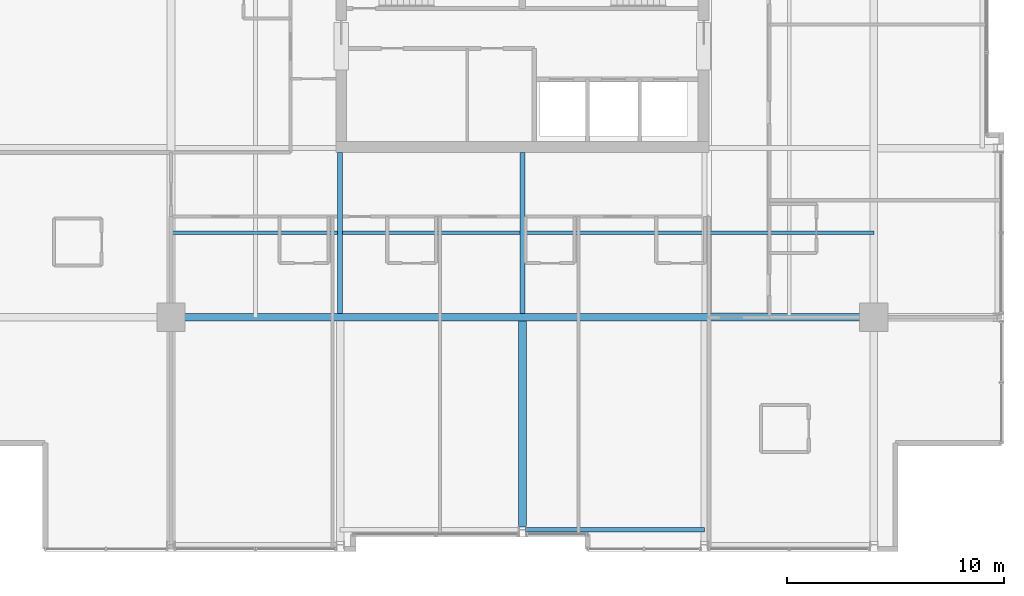
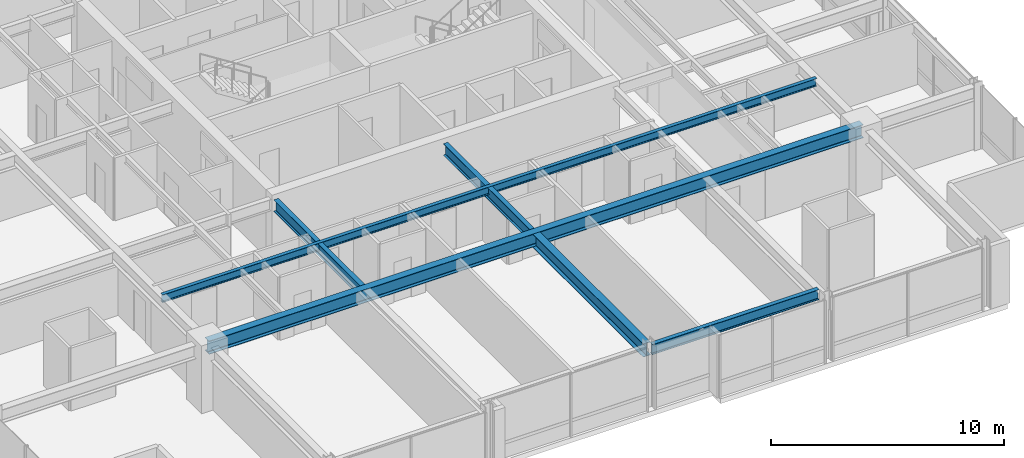
# One storey, part 6 of 33: 6 beams.
"""IFC4 building model written with IfcOpenShell, lengths in metres."""

from ifc_helpers import new_model, si_unit, direction, frame, origin, origin_2d, place, context, subcontext, project, spatial, i_section, extrude, material, material_profile, profile_set, type_object, element, save


model = new_model("IFC4")

# Units and contexts
model_context = context("Model", 3, precision=1e-05, world=origin(), true_north=direction((0.0, 1.0)))
body_context = subcontext(model_context, "Body", "Model", "MODEL_VIEW")
ifc_project = project(units=[si_unit("LENGTHUNIT", "METRE"), si_unit("AREAUNIT", "SQUARE_METRE"), si_unit("VOLUMEUNIT", "CUBIC_METRE"), si_unit("PLANEANGLEUNIT", "RADIAN"), si_unit("MASSUNIT", "GRAM", prefix="KILO")], contexts=[model_context])

# Site, building, storey
site_placement = place(None, origin())
site = spatial("IfcSite", under=ifc_project, at=site_placement, CompositionType="ELEMENT")
building_placement = place(site_placement, origin())
building = spatial("IfcBuilding", under=site, at=building_placement, Name="Drelvath Grand Hotel", CompositionType="ELEMENT")
storey_placement = place(building_placement, frame((0.0, 0.0, 178.800048828125)))
storey = spatial("IfcBuildingStorey", under=building, at=storey_placement, Name="L46", CompositionType="ELEMENT", Elevation=178.800048828125)

# Beams
ifc_material = material(Name="Steel ASTM A992 Gr 50", Category="steel")
ifc_material_profile_1 = material_profile(ifc_material, i_section(OverallWidth=0.177734375, OverallDepth=0.40673828125, WebThickness=0.0078125, FlangeThickness=0.0126953125, FilletRadius=0.014892578125, at=origin_2d()), Name="W16X40")
ifc_profile_set_1 = profile_set([ifc_material_profile_1], Name="Steel ASTM A992 Gr 50")
beam_type_1 = type_object("IfcBeamType", Name="Composite Floor Joist W16X40", PredefinedType="JOIST", material=ifc_profile_set_1)
beam_1_placement = place(storey_placement, frame((-16.199951171875, 14.699951171875, 3.086669921875), z_axis=(1.0, 0.0, 0.0), x_axis=(0.0, 1.0, 0.0)))
element("IfcBeam", 1, at=beam_1_placement, inside=storey, type_object=beam_type_1, Name="L46 Floor Joist J1", PredefinedType="JOIST", context=body_context, shape_type="SweptSolid", body=[
    extrude(i_section(OverallWidth=0.177734375, OverallDepth=0.40673828125, WebThickness=0.0078125, FlangeThickness=0.0126953125, FilletRadius=0.014892578125, at=origin_2d()), origin(), (0.0, 0.0, 1.0), 32.39990234375),
])
ifc_material_profile_2 = material_profile(ifc_material, i_section(OverallWidth=0.210205078125, OverallDepth=0.53662109375, WebThickness=0.010986328125, FlangeThickness=0.017333984375, FilletRadius=0.01806640625, at=origin_2d()), Name="W21X68")
ifc_profile_set_2 = profile_set([ifc_material_profile_2], Name="Steel ASTM A992 Gr 50")
beam_type_2 = type_object("IfcBeamType", Name="Perimeter Spandrel Beam W21X68", PredefinedType="SPANDREL", material=ifc_profile_set_2)
beam_2_placement = place(storey_placement, frame((0.139892578125, 1.0, 3.021728515625), z_axis=(1.0, 0.0, 0.0), x_axis=(0.0, 1.0, 0.0)))
element("IfcBeam", 2, at=beam_2_placement, inside=storey, type_object=beam_type_2, Name="L46 Spandrel South Mid E", PredefinedType="SPANDREL", context=body_context, shape_type="SweptSolid", body=[
    extrude(i_section(OverallWidth=0.210205078125, OverallDepth=0.53662109375, WebThickness=0.010986328125, FlangeThickness=0.017333984375, FilletRadius=0.01806640625, at=origin_2d()), origin(), (0.0, 0.0, 1.0), 8.260009765625),
])
ifc_material_profile_3 = material_profile(ifc_material, i_section(OverallWidth=0.228271484375, OverallDepth=0.607666015625, WebThickness=0.01123046875, FlangeThickness=0.017333984375, FilletRadius=0.02001953125, at=origin_2d()), Name="W24X76")
ifc_profile_set_3 = profile_set([ifc_material_profile_3], Name="Steel ASTM A992 Gr 50")
beam_type_3 = type_object("IfcBeamType", Name="Primary Floor Girder W24X76", PredefinedType="BEAM", material=ifc_profile_set_3)
for number, where, z_axis, x_axis, name in (
    (3, (-8.39990234375, 10.977294921875, 2.986083984375), (0.0, 1.0, 0.0), (-1.0, 0.0, 0.0), "L46 South Core Tie 4"),
    (4, (0.0, 10.977294921875, 2.986083984375), (0.0, 1.0, 0.0), (-1.0, 0.0, 0.0), "L46 South Core Tie 5"),
):
    element("IfcBeam", number, at=place(storey_placement, frame(where, z_axis=z_axis, x_axis=x_axis)), inside=storey, type_object=beam_type_3, Name=name, PredefinedType="BEAM", context=body_context, shape_type="SweptSolid", body=[
        extrude(i_section(OverallWidth=0.228271484375, OverallDepth=0.607666015625, WebThickness=0.01123046875, FlangeThickness=0.017333984375, FilletRadius=0.02001953125, at=origin_2d()), origin(), (0.0, 0.0, 1.0), 7.422607421875),
    ])
ifc_material_profile_4 = material_profile(ifc_material, i_section(OverallWidth=0.354736328125, OverallDepth=0.695556640625, WebThickness=0.015380859375, FlangeThickness=0.025146484375, FilletRadius=0.02392578125, at=origin_2d()), Name="W27X146")
ifc_profile_set_4 = profile_set([ifc_material_profile_4], Name="Steel ASTM A992 Gr 50")
beam_type_4 = type_object("IfcBeamType", Name="Primary Floor Girder W27X146", PredefinedType="BEAM", material=ifc_profile_set_4)
beam_3_placement = place(storey_placement, frame((-16.199951171875, 10.800048828125, 2.942138671875), z_axis=(1.0, 0.0, 0.0), x_axis=(0.0, 1.0, 0.0)))
element("IfcBeam", 5, at=beam_3_placement, inside=storey, type_object=beam_type_4, Name="L46 Mega Ring Girder South", PredefinedType="BEAM", context=body_context, shape_type="SweptSolid", body=[
    extrude(i_section(OverallWidth=0.354736328125, OverallDepth=0.695556640625, WebThickness=0.015380859375, FlangeThickness=0.025146484375, FilletRadius=0.02392578125, at=origin_2d()), origin(), (0.0, 0.0, 1.0), 32.39990234375),
])
beam_4_placement = place(storey_placement, frame((0.0, 1.139892578125, 2.942138671875), z_axis=(0.0, 1.0, 0.0), x_axis=(-1.0, 0.0, 0.0)))
element("IfcBeam", 6, at=beam_4_placement, inside=storey, type_object=beam_type_4, Name="L46 South Wing Girder 5", PredefinedType="BEAM", context=body_context, shape_type="SweptSolid", body=[
    extrude(i_section(OverallWidth=0.354736328125, OverallDepth=0.695556640625, WebThickness=0.015380859375, FlangeThickness=0.025146484375, FilletRadius=0.02392578125, at=origin_2d()), origin(), (0.0, 0.0, 1.0), 9.482666015625),
])

save(model, "model.ifc")
